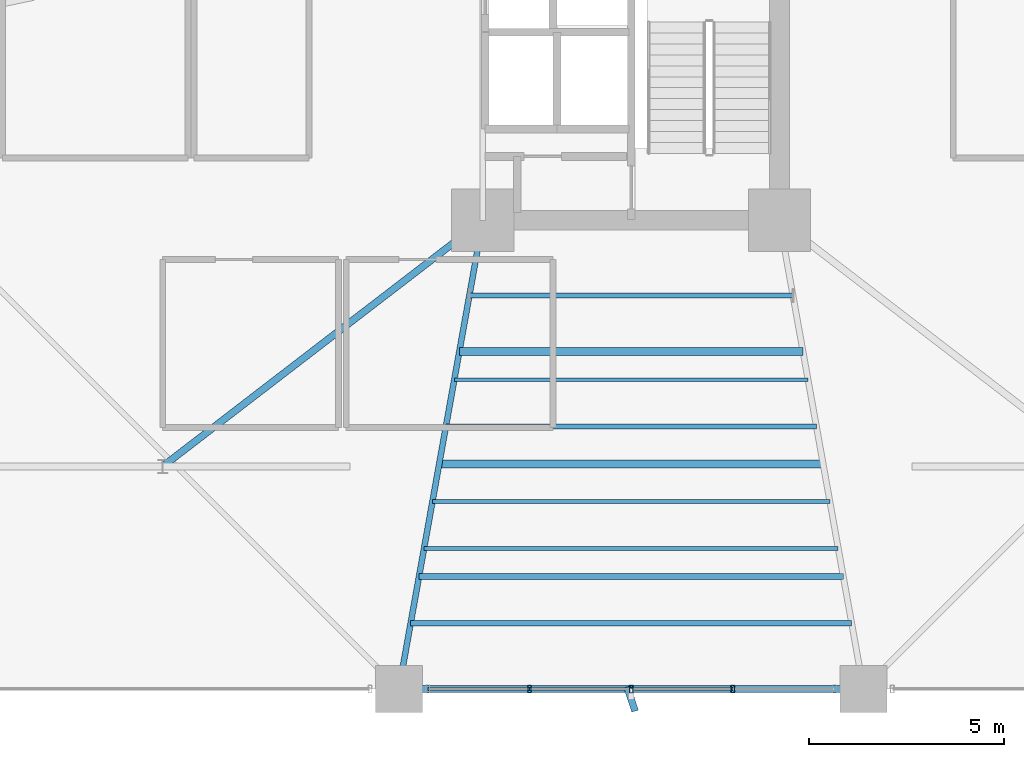
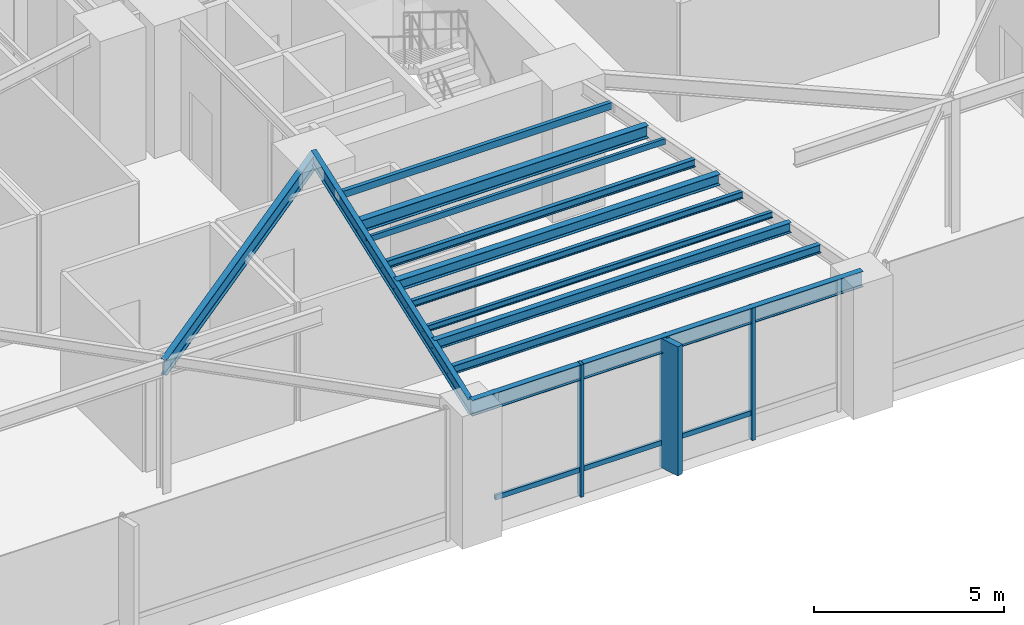
# One storey, part 7 of 26: 12 beams, 7 members, 1 element without a shape of its own.
"""IFC4 building model written with IfcOpenShell, lengths in metres."""

from ifc_helpers import new_model, si_unit, direction, frame, origin, origin_2d, place, context, subcontext, project, spatial, rectangle, hollow_rectangle, i_section, extrude, source, transform, mapped, material, material_profile, profile_set, type_object, element, aggregate, save


model = new_model("IFC4")

# Units and contexts
model_context = context("Model", 3, precision=1e-05, world=origin(), true_north=direction((0.0, 1.0)))
body_context = subcontext(model_context, "Body", "Model", "MODEL_VIEW")
ifc_project = project(units=[si_unit("LENGTHUNIT", "METRE"), si_unit("AREAUNIT", "SQUARE_METRE"), si_unit("VOLUMEUNIT", "CUBIC_METRE"), si_unit("PLANEANGLEUNIT", "RADIAN"), si_unit("MASSUNIT", "GRAM", prefix="KILO")], contexts=[model_context])

# Site, building, storey
site_placement = place(None, origin())
site = spatial("IfcSite", under=ifc_project, at=site_placement, CompositionType="ELEMENT")
building_placement = place(site_placement, origin())
building = spatial("IfcBuilding", under=site, at=building_placement, Name="Sahyath Konkavel Grand Hotel", CompositionType="ELEMENT")
storey_placement = place(building_placement, frame((0.0, 0.0, 18.60009765625)))
storey = spatial("IfcBuildingStorey", under=building, at=storey_placement, Name="L04", CompositionType="ELEMENT", Elevation=18.60009765625)

# Beams
ifc_material_1 = material(Name="Steel E350", Category="steel")
ifc_material_profile_1 = material_profile(ifc_material_1, i_section(OverallWidth=0.179931640625, OverallDepth=0.5, WebThickness=0.01025390625, FlangeThickness=0.01708984375, FilletRadius=0.01708984375, at=origin_2d()), Name="ISMB 500")
ifc_profile_set_1 = profile_set([ifc_material_profile_1], Name="Steel E350")
beam_type_1 = type_object("IfcBeamType", Name="BM-ISMB500", PredefinedType="BEAM", material=ifc_profile_set_1)
shared_shape_1 = source(origin(), body_context, "Body", "SweptSolid", [
    extrude(i_section(OverallWidth=0.179931640625, OverallDepth=0.5, WebThickness=0.01025390625, FlangeThickness=0.01708984375, FilletRadius=0.01708984375, at=origin_2d()), origin(), (0.0, 0.0, 1.0), 10.340576171875),
])
beam_1_placement = place(storey_placement, frame((-12.0, -16.5, 3.949951171875), z_axis=(0.792979316573, 0.60924855641, 0.0), x_axis=(-0.60924855641, 0.792979316573, 0.0)))
element("IfcBeam", 1, at=beam_1_placement, inside=storey, type_object=beam_type_1, Name="str:bm:L04:POD34-14", PredefinedType="BEAM", context=body_context, shape_type="MappedRepresentation", body=[
    mapped(shared_shape_1, transform((0.0, 0.0, 0.0), scale=1.0)),
])
shared_shape_2 = source(origin(), body_context, "Body", "SweptSolid", [
    extrude(i_section(OverallWidth=0.179931640625, OverallDepth=0.5, WebThickness=0.01025390625, FlangeThickness=0.01708984375, FilletRadius=0.01708984375, at=origin_2d()), origin(), (0.0, 0.0, 1.0), 11.89990234375),
])
beam_2_placement = place(storey_placement, frame((-5.949951171875, -22.199951171875, 4.010009765625), z_axis=(1.0, 0.0, 0.0), x_axis=(0.0, 1.0, 0.0)))
element("IfcBeam", 2, at=beam_2_placement, inside=storey, type_object=beam_type_1, Name="L04 Wing Tip Edge Beam S", PredefinedType="BEAM", context=body_context, shape_type="MappedRepresentation", body=[
    mapped(shared_shape_2, transform((0.0, 0.0, 0.0), scale=1.0)),
])
ifc_material_profile_2 = material_profile(ifc_material_1, i_section(OverallWidth=0.199951171875, OverallDepth=0.39990234375, WebThickness=0.008544921875, FlangeThickness=0.012939453125, FilletRadius=0.014892578125, at=origin_2d()), Name="ISWB 400")
ifc_profile_set_2 = profile_set([ifc_material_profile_2], Name="Steel E350")
beam_type_2 = type_object("IfcBeamType", Name="BM-ISWB400", PredefinedType="BEAM", material=ifc_profile_set_2)
shared_shape_3 = source(origin(), body_context, "Body", "SweptSolid", [
    extrude(i_section(OverallWidth=0.199951171875, OverallDepth=0.39990234375, WebThickness=0.008544921875, FlangeThickness=0.012939453125, FilletRadius=0.014892578125, at=origin_2d()), origin(), (0.0, 0.0, 1.0), 8.80419921875),
])
beam_3_placement = place(storey_placement, frame((-4.402099609375, -13.56005859375, 4.059814453125), z_axis=(1.0, 0.0, 0.0), x_axis=(0.0, 1.0, 0.0)))
element("IfcBeam", 3, at=beam_3_placement, inside=storey, type_object=beam_type_2, Name="L04 Secondary Floor Beam S-1", PredefinedType="BEAM", context=body_context, shape_type="MappedRepresentation", body=[
    mapped(shared_shape_3, transform((0.0, 0.0, 0.0), scale=1.0)),
])
ifc_material_profile_3 = material_profile(ifc_material_1, i_section(OverallWidth=0.199951171875, OverallDepth=0.35009765625, WebThickness=0.008056640625, FlangeThickness=0.011474609375, FilletRadius=0.013916015625, at=origin_2d()), Name="ISWB 350")
ifc_profile_set_3 = profile_set([ifc_material_profile_3], Name="Steel E350")
beam_type_3 = type_object("IfcBeamType", Name="BM-ISWB350", PredefinedType="BEAM", material=ifc_profile_set_3)
shared_shape_4 = source(origin(), body_context, "Body", "SweptSolid", [
    extrude(i_section(OverallWidth=0.199951171875, OverallDepth=0.35009765625, WebThickness=0.008056640625, FlangeThickness=0.011474609375, FilletRadius=0.013916015625, at=origin_2d()), origin(), (0.0, 0.0, 1.0), 9.8359375),
])
beam_4_placement = place(storey_placement, frame((-4.91796875, -16.43994140625, 4.0849609375), z_axis=(1.0, 0.0, 0.0), x_axis=(0.0, 1.0, 0.0)))
element("IfcBeam", 4, at=beam_4_placement, inside=storey, type_object=beam_type_3, Name="L04 Secondary Floor Beam S-2", PredefinedType="BEAM", context=body_context, shape_type="MappedRepresentation", body=[
    mapped(shared_shape_4, transform((0.0, 0.0, 0.0), scale=1.0)),
])
ifc_material_profile_4 = material_profile(ifc_material_1, i_section(OverallWidth=0.1650390625, OverallDepth=0.324951171875, WebThickness=0.007080078125, FlangeThickness=0.009765625, FilletRadius=0.014892578125, at=origin_2d()), Name="ISLB 325")
ifc_profile_set_4 = profile_set([ifc_material_profile_4], Name="Steel E350")
beam_type_4 = type_object("IfcBeamType", Name="BM-ISLB325", PredefinedType="BEAM", material=ifc_profile_set_4)
shared_shape_5 = source(origin(), body_context, "Body", "SweptSolid", [
    extrude(i_section(OverallWidth=0.1650390625, OverallDepth=0.324951171875, WebThickness=0.007080078125, FlangeThickness=0.009765625, FilletRadius=0.014892578125, at=origin_2d()), origin(), (0.0, 0.0, 1.0), 10.8681640625),
])
beam_5_placement = place(storey_placement, frame((-5.43408203125, -19.320068359375, 4.097412109375), z_axis=(1.0, 0.0, 0.0), x_axis=(0.0, 1.0, 0.0)))
element("IfcBeam", 5, at=beam_5_placement, inside=storey, type_object=beam_type_4, Name="L04 Secondary Floor Beam S-3", PredefinedType="BEAM", context=body_context, shape_type="MappedRepresentation", body=[
    mapped(shared_shape_5, transform((0.0, 0.0, 0.0), scale=1.0)),
])
ifc_material_profile_5 = material_profile(ifc_material_1, i_section(OverallWidth=0.14990234375, OverallDepth=0.449951171875, WebThickness=0.009521484375, FlangeThickness=0.017333984375, FilletRadius=0.014892578125, at=origin_2d()), Name="ISMB 450")
ifc_profile_set_5 = profile_set([ifc_material_profile_5], Name="Steel E350")
beam_type_5 = type_object("IfcBeamType", Name="BM-ISMB450", PredefinedType="BEAM", material=ifc_profile_set_5)
shared_shape_6 = source(origin(), body_context, "Body", "SweptSolid", [
    extrude(i_section(OverallWidth=0.14990234375, OverallDepth=0.449951171875, WebThickness=0.009521484375, FlangeThickness=0.017333984375, FilletRadius=0.014892578125, at=origin_2d()), origin(), (0.0, 0.0, 1.0), 12.191162109375),
])
beam_6_placement = place(storey_placement, frame((-3.800048828125, -10.199951171875, 4.034912109375), z_axis=(-0.176350650305, -0.984327409014, 0.0), x_axis=(0.984327409014, -0.176350650305, 0.0)))
element("IfcBeam", 6, at=beam_6_placement, inside=storey, type_object=beam_type_5, Name="L04 Cruciform Radial Girder SA", PredefinedType="BEAM", context=body_context, shape_type="MappedRepresentation", body=[
    mapped(shared_shape_6, transform((0.0, 0.0, 0.0), scale=1.0)),
])
ifc_material_profile_6 = material_profile(ifc_material_1, hollow_rectangle(XDim=0.1201171875, YDim=0.219970703125, WallThickness=0.010009765625, at=origin_2d()), Name="RHS 220x120x10")
ifc_profile_set_6 = profile_set([ifc_material_profile_6], Name="Steel E350")
beam_type_6 = type_object("IfcBeamType", Name="BM-RHS220", PredefinedType="BEAM", material=ifc_profile_set_6)
shared_shape_7 = source(origin(), body_context, "Body", "SweptSolid", [
    extrude(hollow_rectangle(XDim=0.1201171875, YDim=0.219970703125, WallThickness=0.010009765625, at=origin_2d()), origin(), (0.0, 0.0, 1.0), 8.2880859375),
])
beam_7_placement = place(storey_placement, frame((-4.14404296875, -12.1201171875, 4.08984375), z_axis=(1.0, 0.0, 0.0), x_axis=(0.0, 1.0, 0.0)))
element("IfcBeam", 7, at=beam_7_placement, inside=storey, type_object=beam_type_6, Name="L04 Composite Deck Sub-Beam S-1", PredefinedType="BEAM", context=body_context, shape_type="MappedRepresentation", body=[
    mapped(shared_shape_7, transform((0.0, 0.0, 0.0), scale=1.0)),
])
ifc_material_profile_7 = material_profile(ifc_material_1, hollow_rectangle(XDim=0.090087890625, YDim=0.179931640625, WallThickness=0.008056640625, at=origin_2d()), Name="RHS 180x90x8")
ifc_profile_set_7 = profile_set([ifc_material_profile_7], Name="Steel E350")
beam_type_7 = type_object("IfcBeamType", Name="BM-RHS180", PredefinedType="BEAM", material=ifc_profile_set_7)
shared_shape_8 = source(origin(), body_context, "Body", "SweptSolid", [
    extrude(hollow_rectangle(XDim=0.090087890625, YDim=0.179931640625, WallThickness=0.008056640625, at=origin_2d()), origin(), (0.0, 0.0, 1.0), 9.06201171875),
])
beam_8_placement = place(storey_placement, frame((-4.531005859375, -14.280029296875, 4.10986328125), z_axis=(1.0, 0.0, 0.0), x_axis=(0.0, 1.0, 0.0)))
element("IfcBeam", 8, at=beam_8_placement, inside=storey, type_object=beam_type_7, Name="L04 Composite Deck Sub-Beam S-2", PredefinedType="BEAM", context=body_context, shape_type="MappedRepresentation", body=[
    mapped(shared_shape_8, transform((0.0, 0.0, 0.0), scale=1.0)),
])
ifc_material_profile_8 = material_profile(ifc_material_1, i_section(OverallWidth=0.125, OverallDepth=0.25, WebThickness=0.0068359375, FlangeThickness=0.012451171875, FilletRadius=0.012939453125, at=origin_2d()), Name="ISMB 250")
ifc_profile_set_8 = profile_set([ifc_material_profile_8], Name="Steel E350")
beam_type_8 = type_object("IfcBeamType", Name="BM-ISMB250", PredefinedType="BEAM", material=ifc_profile_set_8)
shared_shape_9 = source(origin(), body_context, "Body", "SweptSolid", [
    extrude(i_section(OverallWidth=0.125, OverallDepth=0.25, WebThickness=0.0068359375, FlangeThickness=0.012451171875, FilletRadius=0.012939453125, at=origin_2d()), origin(), (0.0, 0.0, 1.0), 9.4921875),
])
beam_9_placement = place(storey_placement, frame((-4.74609375, -15.47998046875, 4.074951171875), z_axis=(1.0, 0.0, 0.0), x_axis=(0.0, 1.0, 0.0)))
element("IfcBeam", 9, at=beam_9_placement, inside=storey, type_object=beam_type_8, Name="L04 Composite Deck Sub-Beam S-3", PredefinedType="BEAM", context=body_context, shape_type="MappedRepresentation", body=[
    mapped(shared_shape_9, transform((0.0, 0.0, 0.0), scale=1.0)),
])
ifc_material_profile_9 = material_profile(ifc_material_1, i_section(OverallWidth=0.110107421875, OverallDepth=0.22509765625, WebThickness=0.006591796875, FlangeThickness=0.01171875, FilletRadius=0.011962890625, at=origin_2d()), Name="ISMB 225")
ifc_profile_set_9 = profile_set([ifc_material_profile_9], Name="Steel E350")
beam_type_9 = type_object("IfcBeamType", Name="BM-ISMB225", PredefinedType="BEAM", material=ifc_profile_set_9)
shared_shape_10 = source(origin(), body_context, "Body", "SweptSolid", [
    extrude(i_section(OverallWidth=0.110107421875, OverallDepth=0.22509765625, WebThickness=0.006591796875, FlangeThickness=0.01171875, FilletRadius=0.011962890625, at=origin_2d()), origin(), (0.0, 0.0, 1.0), 10.18017578125),
])
beam_10_placement = place(storey_placement, frame((-5.090087890625, -17.39990234375, 4.08740234375), z_axis=(1.0, 0.0, 0.0), x_axis=(0.0, 1.0, 0.0)))
element("IfcBeam", 10, at=beam_10_placement, inside=storey, type_object=beam_type_9, Name="L04 Composite Deck Sub-Beam S-4", PredefinedType="BEAM", context=body_context, shape_type="MappedRepresentation", body=[
    mapped(shared_shape_10, transform((0.0, 0.0, 0.0), scale=1.0)),
])
ifc_material_profile_10 = material_profile(ifc_material_1, i_section(OverallWidth=0.10009765625, OverallDepth=0.199951171875, WebThickness=0.005615234375, FlangeThickness=0.0107421875, FilletRadius=0.010986328125, at=origin_2d()), Name="ISMB 200")
ifc_profile_set_10 = profile_set([ifc_material_profile_10], Name="Steel E350")
beam_type_10 = type_object("IfcBeamType", Name="BM-ISMB200", PredefinedType="BEAM", material=ifc_profile_set_10)
shared_shape_11 = source(origin(), body_context, "Body", "SweptSolid", [
    extrude(i_section(OverallWidth=0.10009765625, OverallDepth=0.199951171875, WebThickness=0.005615234375, FlangeThickness=0.0107421875, FilletRadius=0.010986328125, at=origin_2d()), origin(), (0.0, 0.0, 1.0), 10.60986328125),
])
beam_11_placement = place(storey_placement, frame((-5.304931640625, -18.60009765625, 4.099853515625), z_axis=(1.0, 0.0, 0.0), x_axis=(0.0, 1.0, 0.0)))
element("IfcBeam", 11, at=beam_11_placement, inside=storey, type_object=beam_type_10, Name="L04 Composite Deck Sub-Beam S-5", PredefinedType="BEAM", context=body_context, shape_type="MappedRepresentation", body=[
    mapped(shared_shape_11, transform((0.0, 0.0, 0.0), scale=1.0)),
])
ifc_material_profile_11 = material_profile(ifc_material_1, i_section(OverallWidth=0.139892578125, OverallDepth=0.27490234375, WebThickness=0.00634765625, FlangeThickness=0.0087890625, FilletRadius=0.012939453125, at=origin_2d()), Name="ISLB 275")
ifc_profile_set_11 = profile_set([ifc_material_profile_11], Name="Steel E350")
beam_type_11 = type_object("IfcBeamType", Name="BM-ISLB275", PredefinedType="BEAM", material=ifc_profile_set_11)
shared_shape_12 = source(origin(), body_context, "Body", "SweptSolid", [
    extrude(i_section(OverallWidth=0.139892578125, OverallDepth=0.27490234375, WebThickness=0.00634765625, FlangeThickness=0.0087890625, FilletRadius=0.012939453125, at=origin_2d()), origin(), (0.0, 0.0, 1.0), 11.2978515625),
])
beam_12_placement = place(storey_placement, frame((-5.64892578125, -20.52001953125, 4.0625), z_axis=(1.0, 0.0, 0.0), x_axis=(0.0, 1.0, 0.0)))
element("IfcBeam", 12, at=beam_12_placement, inside=storey, type_object=beam_type_11, Name="L04 Composite Deck Sub-Beam S-6", PredefinedType="BEAM", context=body_context, shape_type="MappedRepresentation", body=[
    mapped(shared_shape_12, transform((0.0, 0.0, 0.0), scale=1.0)),
])

# Curtain wall, members
ifc_material_2 = material(Name="Anodised Bronze Aluminium & Low-E Glazing", Category="aluminium")
curtain_wall_type = type_object("IfcCurtainWallType", Name="CW-PODIUM", PredefinedType="NOTDEFINED", material=ifc_material_2)
curtain_wall_placement = place(storey_placement, origin())
curtain_wall = element("IfcCurtainWall", 13, at=curtain_wall_placement, inside=storey, type_object=curtain_wall_type, Name="L04 Unitised Curtain Wall S2", PredefinedType="NOTDEFINED")
ifc_material_3 = material(Name="Anodised Bronze Aluminium", Category="aluminium")
ifc_material_profile_12 = material_profile(ifc_material_3, hollow_rectangle(XDim=0.10009765625, YDim=0.199951171875, WallThickness=0.008056640625, at=origin_2d()), Name="RHS 200x100x8")
ifc_profile_set_12 = profile_set([ifc_material_profile_12], Name="Anodised Bronze Aluminium")
member_type_1 = type_object("IfcMemberType", Name="CW-MUL-200", PredefinedType="MULLION", material=ifc_profile_set_12)
shared_shape_13 = source(origin(), body_context, "Body", "SweptSolid", [
    extrude(hollow_rectangle(XDim=0.10009765625, YDim=0.199951171875, WallThickness=0.008056640625, at=origin_2d()), origin(), (0.0, 0.0, 1.0), 4.260009765625),
])
member_1_placement = place(storey_placement, frame((-2.60498046875, -22.199951171875, 0.0), z_axis=(0.0, 0.0, 1.0), x_axis=(1.0, 0.0, 0.0)))
member_1 = element("IfcMember", 14, at=member_1_placement, type_object=member_type_1, Name="L04 Curtain Wall Mullion S2-1", PredefinedType="MULLION", context=body_context, shape_type="MappedRepresentation", body=[
    mapped(shared_shape_13, transform((0.0, 0.0, 0.0), scale=1.0)),
])
member_2_placement = place(storey_placement, frame((0.0, -22.199951171875, 0.0), z_axis=(0.0, 0.0, 1.0), x_axis=(1.0, 0.0, 0.0)))
member_2 = element("IfcMember", 15, at=member_2_placement, type_object=member_type_1, Name="L04 Curtain Wall Mullion S2-2", PredefinedType="MULLION", context=body_context, shape_type="MappedRepresentation", body=[
    mapped(shared_shape_13, transform((0.0, 0.0, 0.0), scale=1.0)),
])
member_3_placement = place(storey_placement, frame((2.60498046875, -22.199951171875, 0.0), z_axis=(0.0, 0.0, 1.0), x_axis=(1.0, 0.0, 0.0)))
member_3 = element("IfcMember", 16, at=member_3_placement, type_object=member_type_1, Name="L04 Curtain Wall Mullion S2-3", PredefinedType="MULLION", context=body_context, shape_type="MappedRepresentation", body=[
    mapped(shared_shape_13, transform((0.0, 0.0, 0.0), scale=1.0)),
])
ifc_material_4 = material(Name="Warm Buff Sandstone Cladding on Concrete C50/60", Category="masonry")
ifc_material_profile_13 = material_profile(ifc_material_4, rectangle(XDim=0.179931640625, YDim=0.64990234375, at=origin_2d()), Name="FIN 180x650")
ifc_profile_set_13 = profile_set([ifc_material_profile_13], Name="Warm Buff Sandstone Cladding on Concrete C50/60")
member_type_2 = type_object("IfcMemberType", Name="FIN-SANDSTONE-650", PredefinedType="MULLION", material=ifc_profile_set_13)
shared_shape_14 = source(origin(), body_context, "Body", "SweptSolid", [
    extrude(rectangle(XDim=0.179931640625, YDim=0.64990234375, at=origin_2d()), origin(), (0.0, 0.0, 1.0), 4.16015625),
])
member_4_placement = place(storey_placement, frame((0.0, -22.4599609375, 0.0498046875), z_axis=(0.0, 0.0, 1.0), x_axis=(0.951056516295, 0.309016994375, 0.0)))
member_4 = element("IfcMember", 17, at=member_4_placement, type_object=member_type_2, Name="L04 Sandstone Vertical Solar Fin FIN S2-2", PredefinedType="MULLION", context=body_context, shape_type="MappedRepresentation", body=[
    mapped(shared_shape_14, transform((0.0, 0.0, 0.0), scale=1.0)),
])
ifc_material_profile_14 = material_profile(ifc_material_3, hollow_rectangle(XDim=0.080078125, YDim=0.159912109375, WallThickness=0.006103515625, at=origin_2d()), Name="RHS 160x80x6")
ifc_profile_set_14 = profile_set([ifc_material_profile_14], Name="Anodised Bronze Aluminium")
member_type_3 = type_object("IfcMemberType", Name="CW-TRN-160", PredefinedType="USERDEFINED", material=ifc_profile_set_14)
shared_shape_15 = source(origin(), body_context, "Body", "SweptSolid", [
    extrude(hollow_rectangle(XDim=0.080078125, YDim=0.159912109375, WallThickness=0.006103515625, at=origin_2d()), origin(), (0.0, 0.0, 1.0), 2.60498046875),
])
member_5_placement = place(storey_placement, frame((-5.2099609375, -22.199951171875, 0.849853515625), z_axis=(1.0, 0.0, 0.0), x_axis=(0.0, 1.0, 0.0)))
member_5 = element("IfcMember", 18, at=member_5_placement, type_object=member_type_3, Name="L04 Curtain Wall Transom S2-0-spandrel", ObjectType="TRANSOM", PredefinedType="USERDEFINED", context=body_context, shape_type="MappedRepresentation", body=[
    mapped(shared_shape_15, transform((0.0, 0.0, 0.0), scale=1.0)),
])
member_6_placement = place(storey_placement, frame((-2.60498046875, -22.199951171875, 0.849853515625), z_axis=(1.0, 0.0, 0.0), x_axis=(0.0, 1.0, 0.0)))
member_6 = element("IfcMember", 19, at=member_6_placement, type_object=member_type_3, Name="L04 Curtain Wall Transom S2-1-spandrel", ObjectType="TRANSOM", PredefinedType="USERDEFINED", context=body_context, shape_type="MappedRepresentation", body=[
    mapped(shared_shape_15, transform((0.0, 0.0, 0.0), scale=1.0)),
])
member_7_placement = place(storey_placement, frame((0.0, -22.199951171875, 0.849853515625), z_axis=(1.0, 0.0, 0.0), x_axis=(0.0, 1.0, 0.0)))
member_7 = element("IfcMember", 20, at=member_7_placement, type_object=member_type_3, Name="L04 Curtain Wall Transom S2-2-spandrel", ObjectType="TRANSOM", PredefinedType="USERDEFINED", context=body_context, shape_type="MappedRepresentation", body=[
    mapped(shared_shape_15, transform((0.0, 0.0, 0.0), scale=1.0)),
])
aggregate(curtain_wall, [member_1, member_2, member_4, member_3, member_5, member_6, member_7])

save(model, "model.ifc")
